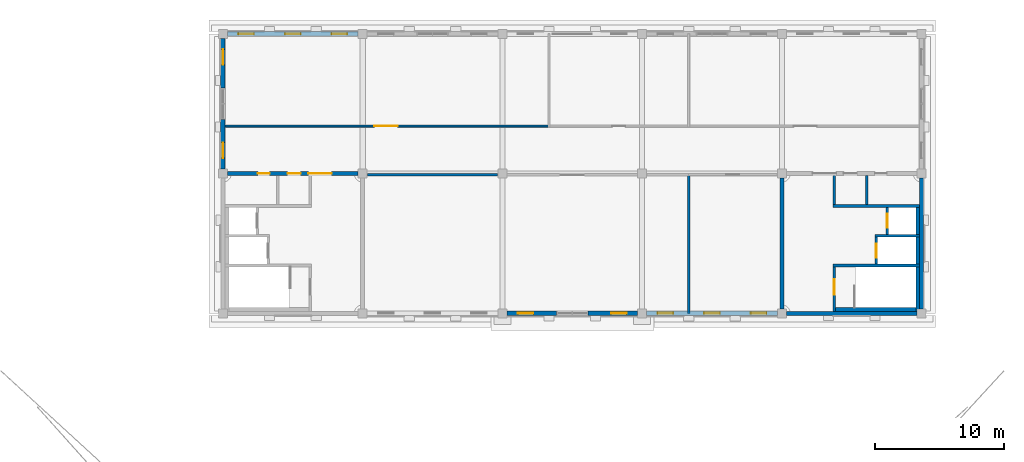
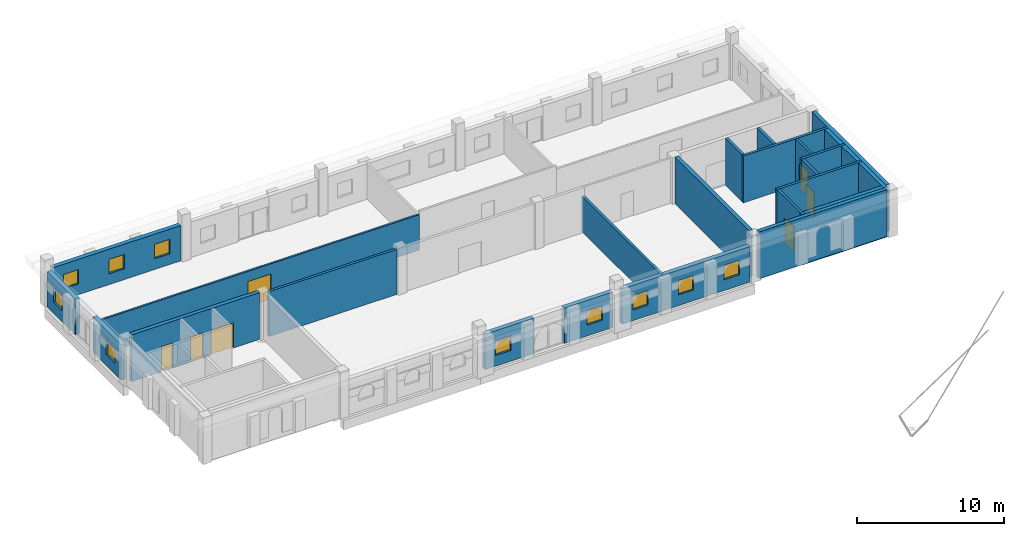
# One storey, part 7 of 10: 25 walls, 10 windows, 7 doors, 17 openings.
"""IFC4 building model written with IfcOpenShell, lengths in metres."""

import ifcopenshell
import ifcopenshell.guid

model = None  # the IFC model being written
_history = None  # IfcOwnerHistory: only IFC2X3 demands one
_inside = {}  # id of a spatial element -> (the spatial element, [elements in it])
_under = {}  # id of a project, library or spatial element -> (it, [spatial elements below it])
_declared = {}  # id of a project -> (the project, [libraries it declares])
_typed = {}  # id of a type object -> (the type object, [elements of that type])
_made_of = {}  # id of a material, layer set ... -> (it, [elements and type objects made of it])


def new_model(schema):
    """Start an empty IFC model of exactly this schema.

    Asked for "IFC4X3", IfcOpenShell would pick the latest addendum, in which some entities
    have other attributes; the version numbers below select the first issue.
    IFC2X3 requires an IfcOwnerHistory on every rooted entity: one is made here for all.
    """
    global model, _history
    if schema == "IFC4X3":
        model = ifcopenshell.file(schema_version=(4, 3, 0, 0))
    else:
        model = ifcopenshell.file(schema=schema)
    _inside.clear()
    _under.clear()
    _declared.clear()
    _typed.clear()
    _made_of.clear()
    _history = None
    if model.schema == "IFC2X3":
        org = make("IfcOrganization", Name="unknown")
        user = make(
            "IfcPersonAndOrganization",
            ThePerson=make("IfcPerson", FamilyName="unknown"),
            TheOrganization=org,
        )
        app = make(
            "IfcApplication",
            ApplicationDeveloper=org,
            Version="unknown",
            ApplicationFullName="unknown",
            ApplicationIdentifier="unknown",
        )
        _history = make(
            "IfcOwnerHistory",
            OwningUser=user,
            OwningApplication=app,
            ChangeAction="ADDED",
            CreationDate=0,
        )
    return model


def make(cls, **values):
    """One entity of the class cls with the attributes given. An attribute that is None is left unset."""
    return model.create_entity(
        cls, **{name: value for name, value in values.items() if value is not None}
    )


def rooted(cls, **values):
    """An entity with a GlobalId (a new one), such as an element, a storey or a relation."""
    return make(cls, GlobalId=ifcopenshell.guid.new(), OwnerHistory=_history, **values)


def si_unit(unit_type, name, prefix=None):
    """IfcSIUnit, for example si_unit("LENGTHUNIT", "METRE", prefix="MILLI")."""
    return make("IfcSIUnit", UnitType=unit_type, Prefix=prefix, Name=name)


def assignment(units):
    """IfcUnitAssignment: the units of a project."""
    return None if units is None else make("IfcUnitAssignment", Units=units)


def point(xyz):
    """IfcCartesianPoint."""
    return None if xyz is None else make("IfcCartesianPoint", Coordinates=xyz)


def direction(xyz):
    """IfcDirection."""
    return None if xyz is None else make("IfcDirection", DirectionRatios=xyz)


def frame(location, z_axis=None, x_axis=None):
    """IfcAxis2Placement3D, a coordinate frame: its origin and axes. An axis left out is left unset."""
    return make(
        "IfcAxis2Placement3D",
        Location=point(location),
        Axis=direction(z_axis),
        RefDirection=direction(x_axis),
    )


def frame_2d(location, x_axis=None):
    """IfcAxis2Placement2D, a coordinate frame in the plane: its origin and x axis."""
    return make(
        "IfcAxis2Placement2D", Location=point(location), RefDirection=direction(x_axis)
    )


def origin():
    """The frame at (0, 0, 0) with its axes left unset."""
    return frame((0.0, 0.0, 0.0))


def place(relative_to, where):
    """IfcLocalPlacement: puts the frame where relative to a parent placement (None: the world)."""
    return make(
        "IfcLocalPlacement", PlacementRelTo=relative_to, RelativePlacement=where
    )


def context(
    kind, dimensions, precision=None, world=None, true_north=None, identifier=None
):
    """IfcGeometricRepresentationContext, for example the 3D "Model" context."""
    return make(
        "IfcGeometricRepresentationContext",
        ContextIdentifier=identifier,
        ContextType=kind,
        CoordinateSpaceDimension=dimensions,
        Precision=precision,
        WorldCoordinateSystem=world,
        TrueNorth=true_north,
    )


def subcontext(parent, identifier, kind, view, scale=None):
    """IfcGeometricRepresentationSubContext, for example "Body" below "Model"."""
    return make(
        "IfcGeometricRepresentationSubContext",
        ContextIdentifier=identifier,
        ContextType=kind,
        ParentContext=parent,
        TargetScale=scale,
        TargetView=view,
    )


def project(units=None, contexts=None):
    """IfcProject with its units and contexts."""
    return rooted(
        "IfcProject",
        Name="project",
        RepresentationContexts=contexts,
        UnitsInContext=assignment(units),
    )


def spatial(cls, under=None, at=None, **own):
    """A site, building, storey or space (cls), placed at a placement, below another one or the project."""
    s = rooted(cls, ObjectPlacement=at, **own)
    if under is not None:
        _under.setdefault(under.id(), (under, []))[1].append(s)
    return s


def profile(cls, at=None, kind="AREA", **sizes):
    """A parametric profile (cls). Its sizes go by their IFC names, for example OverallWidth=200.0."""
    return make(cls, ProfileType=kind, Position=at, **sizes)


def rectangle(**sizes):
    """IfcRectangleProfileDef."""
    return profile("IfcRectangleProfileDef", **sizes)


def extrude(swept, where, along, depth):
    """IfcExtrudedAreaSolid: the profile swept, set in the frame where, extruded along a direction by depth."""
    return make(
        "IfcExtrudedAreaSolid",
        SweptArea=swept,
        Position=where,
        ExtrudedDirection=direction(along),
        Depth=depth,
    )


def shape(context_of_items, identifier, shape_type, items):
    """IfcShapeRepresentation: the items that make up one representation, for example the "Body"."""
    return make(
        "IfcShapeRepresentation",
        ContextOfItems=context_of_items,
        RepresentationIdentifier=identifier,
        RepresentationType=shape_type,
        Items=items,
    )


def material(Name=None, Category=None):
    """IfcMaterial."""
    return make("IfcMaterial", Name=Name, Category=Category)


def layer(
    of_material, thickness, ventilated=None, Name=None, Category=None, Priority=None
):
    """IfcMaterialLayer: one layer of a wall or slab, of a material (None: an air gap)."""
    return make(
        "IfcMaterialLayer",
        Material=of_material,
        LayerThickness=thickness,
        IsVentilated=ventilated,
        Name=Name,
        Category=Category,
        Priority=Priority,
    )


def layer_set(layers, Name=None):
    """IfcMaterialLayerSet."""
    return make("IfcMaterialLayerSet", MaterialLayers=layers, LayerSetName=Name)


def made_of(thing, what):
    """Note that an element or type object is made of a material, layer set ...; save() writes the relation."""
    if what is not None:
        _made_of.setdefault(what.id(), (what, []))[1].append(thing)
    return thing


def type_object(cls, material=None, **own):
    """A type object (cls), such as IfcWallType, which elements share."""
    return made_of(rooted(cls, **own), material)


def element(
    cls,
    number,
    at=None,
    inside=None,
    cuts=None,
    type_object=None,
    material=None,
    context=None,
    identifier="Body",
    shape_type=None,
    held_by="IfcProductDefinitionShape",
    body=None,
    shapes=None,
    **own,
):
    """One element of the class cls, such as IfcWall. Its Tag is "e" and its number.

    at: its placement. inside: the storey or other place that contains it. cuts: it is an
    opening in that element (IfcRelVoidsElement). A single representation is given by context,
    identifier, shape_type and body (its items); several are given by shapes. held_by: the class
    of the entity that holds the representations. save() writes the other relations.
    """
    e = rooted(cls, Tag="e%d" % number, ObjectPlacement=at, **own)
    if body is not None:
        shapes = [shape(context, identifier, shape_type, body)]
    if shapes is not None:
        e.Representation = make(held_by, Representations=shapes)
    if inside is not None:
        _inside.setdefault(inside.id(), (inside, []))[1].append(e)
    if cuts is not None:
        rooted(
            "IfcRelVoidsElement", RelatingBuildingElement=cuts, RelatedOpeningElement=e
        )
    if type_object is not None:
        _typed.setdefault(type_object.id(), (type_object, []))[1].append(e)
    return made_of(e, material)


def fill(opening, filler):
    """IfcRelFillsElement: the door or window that sits in an opening."""
    return rooted(
        "IfcRelFillsElement",
        RelatingOpeningElement=opening,
        RelatedBuildingElement=filler,
    )


def aggregate(whole, parts):
    """IfcRelAggregates: a whole, such as a stair, and the parts it consists of."""
    return rooted("IfcRelAggregates", RelatingObject=whole, RelatedObjects=parts)


def save(model, path):
    """Write the relations noted so far, then the file.

    IfcRelAggregates (storeys below a building ...), IfcRelContainedInSpatialStructure (elements
    in a storey), IfcRelDefinesByType, IfcRelAssociatesMaterial and IfcRelDeclares: one each for
    every whole, place, type object, material and project.
    """
    for whole, parts in _under.values():
        aggregate(whole, parts)
    for where, things in _inside.values():
        rooted(
            "IfcRelContainedInSpatialStructure",
            RelatedElements=things,
            RelatingStructure=where,
        )
    for kind, things in _typed.values():
        rooted("IfcRelDefinesByType", RelatedObjects=things, RelatingType=kind)
    for what, things in _made_of.values():
        rooted("IfcRelAssociatesMaterial", RelatedObjects=things, RelatingMaterial=what)
    for by, libraries in _declared.values():
        rooted("IfcRelDeclares", RelatingContext=by, RelatedDefinitions=libraries)
    model.write(path)


model = new_model("IFC4")

# Units and contexts
model_context = context("Model", 3, precision=1e-05, world=origin(), true_north=direction((0.0, 1.0)))
body_context = subcontext(model_context, "Body", "Model", "MODEL_VIEW")
ifc_project = project(units=[si_unit("LENGTHUNIT", "METRE"), si_unit("AREAUNIT", "SQUARE_METRE"), si_unit("VOLUMEUNIT", "CUBIC_METRE"), si_unit("PLANEANGLEUNIT", "RADIAN"), si_unit("MASSUNIT", "GRAM", prefix="KILO")], contexts=[model_context])

# Site, building, storey
site_placement = place(None, origin())
site = spatial("IfcSite", under=ifc_project, at=site_placement, CompositionType="ELEMENT")
building_placement = place(site_placement, origin())
building = spatial("IfcBuilding", under=site, at=building_placement, Name="Magnolia Steps Interchange", CompositionType="ELEMENT")
storey_placement = place(building_placement, frame((0.0, 0.0, 24.300048828125)))
storey = spatial("IfcBuildingStorey", under=building, at=storey_placement, Name="L06", CompositionType="ELEMENT", Elevation=24.300048828125)

# Walls
ifc_material_1 = material(Name="Concrete C35", Category="concrete")
ifc_layer_1 = layer(ifc_material_1, 0.199951171875)
ifc_layer_set_1 = layer_set([ifc_layer_1], Name="Core enclosure wall 200")
wall_type_1 = type_object("IfcWallType", Name="Core enclosure wall 200", PredefinedType="SOLIDWALL", material=ifc_layer_set_1)
wall_1_placement = place(storey_placement, frame((111.25, 107.050048828125, 0.0), z_axis=(0.0, 0.0, 1.0), x_axis=(0.0, -1.0, 0.0)))
element("IfcWall", 1, at=wall_1_placement, inside=storey, type_object=wall_type_1, Name="L06 OC-E enclosure wall", PredefinedType="SOLIDWALL", context=body_context, shape_type="SweptSolid", body=[
    extrude(rectangle(XDim=2.25, YDim=0.199951171875, at=frame_2d((1.125, 0.0))), origin(), (0.0, 0.0, 1.0), 3.89990234375),
])
wall_2_placement = place(storey_placement, frame((111.14990234375, 104.699951171875, 0.0), z_axis=(0.0, 0.0, 1.0), x_axis=(1.0, 0.0, 0.0)))
element("IfcWall", 2, at=wall_2_placement, inside=storey, type_object=wall_type_1, Name="L06 OC-E enclosure wall", PredefinedType="SOLIDWALL", context=body_context, shape_type="SweptSolid", body=[
    extrude(rectangle(XDim=6.7001953125, YDim=0.199951171875, at=frame_2d((3.35009765625, 0.0))), origin(), (0.0, 0.0, 1.0), 3.89990234375),
])

# Wall, opening, door
wall_3_placement = place(storey_placement, frame((115.35009765625, 104.60009765625, 0.0), z_axis=(0.0, 0.0, 1.0), x_axis=(0.0, -1.0, 0.0)))
wall_3 = element("IfcWall", 3, at=wall_3_placement, inside=storey, type_object=wall_type_1, Name="L06 OC-E enclosure wall", PredefinedType="SOLIDWALL", context=body_context, shape_type="SweptSolid", body=[
    extrude(rectangle(XDim=2.10009765625, YDim=0.199951171875, at=frame_2d((1.050048828125, 0.0))), origin(), (0.0, 0.0, 1.0), 3.89990234375),
])
opening_1_placement = place(wall_3_placement, frame((0.5, 0.0, 0.0)))
opening_1 = element("IfcOpeningElement", 4, at=opening_1_placement, cuts=wall_3, Name="Opening LD", PredefinedType="OPENING", context=body_context, shape_type="SweptSolid", body=[
    extrude(rectangle(XDim=1.10009765625, YDim=2.10009765625, at=frame_2d((0.550048828125, 1.050048828125))), frame((0.0, 0.10986328125, 0.0), z_axis=(0.0, -1.0, 0.0), x_axis=(1.0, 0.0, 0.0)), (0.0, 0.0, 1.0), 0.219970703125),
])
ifc_material_2 = material(Name="Stainless steel grade 304", Category="steel")
door_type_1 = type_object("IfcDoorType", Name="Lift landing door 1100x2100", OperationType="DOUBLE_DOOR_SLIDING", PredefinedType="DOOR", material=ifc_material_2)
door_1_placement = place(opening_1_placement, frame((1.10009765625, 0.0, 0.0), z_axis=(0.0, 0.0, 1.0), x_axis=(-1.0, 0.0, 0.0)))
door_1 = element("IfcDoor", 5, at=door_1_placement, inside=storey, type_object=door_type_1, Name="Lift landing door LF17 L06", OperationType="DOUBLE_DOOR_SLIDING", OverallHeight=2.10009765625, OverallWidth=1.10009765625, PredefinedType="DOOR", context=body_context, shape_type="SweptSolid", body=[
    extrude(rectangle(XDim=1.10009765625, YDim=2.10009765625, at=frame_2d((0.550048828125, 1.050048828125))), frame((0.0, 0.02490234375, 0.0), z_axis=(0.0, -1.0, 0.0), x_axis=(1.0, 0.0, 0.0)), (0.0, 0.0, 1.0), 0.050048828125),
])
fill(opening_1, door_1)

# Wall
wall_4_placement = place(storey_placement, frame((114.39990234375, 102.39990234375, 0.0), z_axis=(0.0, 0.0, 1.0), x_axis=(1.0, 0.0, 0.0)))
element("IfcWall", 6, at=wall_4_placement, inside=storey, type_object=wall_type_1, Name="L06 OC-E enclosure wall", PredefinedType="SOLIDWALL", context=body_context, shape_type="SweptSolid", body=[
    extrude(rectangle(XDim=3.4501953125, YDim=0.199951171875, at=frame_2d((1.72509765625, 0.0))), origin(), (0.0, 0.0, 1.0), 3.89990234375),
])

# Wall, opening, door
wall_5_placement = place(storey_placement, frame((114.5, 102.300048828125, 0.0), z_axis=(0.0, 0.0, 1.0), x_axis=(0.0, -1.0, 0.0)))
wall_5 = element("IfcWall", 7, at=wall_5_placement, inside=storey, type_object=wall_type_1, Name="L06 OC-E enclosure wall", PredefinedType="SOLIDWALL", context=body_context, shape_type="SweptSolid", body=[
    extrude(rectangle(XDim=2.10009765625, YDim=0.199951171875, at=frame_2d((1.050048828125, 0.0))), origin(), (0.0, 0.0, 1.0), 3.89990234375),
])
opening_2_placement = place(wall_5_placement, frame((0.5, 0.0, 0.0)))
opening_2 = element("IfcOpeningElement", 8, at=opening_2_placement, cuts=wall_5, Name="Opening LD", PredefinedType="OPENING", context=body_context, shape_type="SweptSolid", body=[
    extrude(rectangle(XDim=1.10009765625, YDim=2.10009765625, at=frame_2d((0.550048828125, 1.050048828125))), frame((0.0, 0.10986328125, 0.0), z_axis=(0.0, -1.0, 0.0), x_axis=(1.0, 0.0, 0.0)), (0.0, 0.0, 1.0), 0.219970703125),
])
door_2_placement = place(opening_2_placement, frame((1.10009765625, 0.0, 0.0), z_axis=(0.0, 0.0, 1.0), x_axis=(-1.0, 0.0, 0.0)))
door_2 = element("IfcDoor", 9, at=door_2_placement, inside=storey, type_object=door_type_1, Name="Lift landing door LF18 L06", OperationType="DOUBLE_DOOR_SLIDING", OverallHeight=2.10009765625, OverallWidth=1.10009765625, PredefinedType="DOOR", context=body_context, shape_type="SweptSolid", body=[
    extrude(rectangle(XDim=1.10009765625, YDim=2.10009765625, at=frame_2d((0.550048828125, 1.050048828125))), frame((0.0, 0.02490234375, 0.0), z_axis=(0.0, -1.0, 0.0), x_axis=(1.0, 0.0, 0.0)), (0.0, 0.0, 1.0), 0.050048828125),
])
fill(opening_2, door_2)

# Wall
wall_6_placement = place(storey_placement, frame((111.14990234375, 100.10009765625, 0.0), z_axis=(0.0, 0.0, 1.0), x_axis=(1.0, 0.0, 0.0)))
element("IfcWall", 10, at=wall_6_placement, inside=storey, type_object=wall_type_1, Name="L06 OC-E enclosure wall", PredefinedType="SOLIDWALL", context=body_context, shape_type="SweptSolid", body=[
    extrude(rectangle(XDim=6.7001953125, YDim=0.199951171875, at=frame_2d((3.35009765625, 0.0))), origin(), (0.0, 0.0, 1.0), 3.89990234375),
])

# Wall, opening, door
wall_7_placement = place(storey_placement, frame((111.25, 100.0, 0.0), z_axis=(0.0, 0.0, 1.0), x_axis=(0.0, -1.0, 0.0)))
wall_7 = element("IfcWall", 11, at=wall_7_placement, inside=storey, type_object=wall_type_1, Name="L06 OC-E enclosure wall", PredefinedType="SOLIDWALL", context=body_context, shape_type="SweptSolid", body=[
    extrude(rectangle(XDim=3.449951171875, YDim=0.199951171875, at=frame_2d((1.72509765625, 0.0))), origin(), (0.0, 0.0, 1.0), 3.89990234375),
])
opening_3_placement = place(wall_7_placement, frame((0.97509765625, 0.0, 0.0)))
opening_3 = element("IfcOpeningElement", 12, at=opening_3_placement, cuts=wall_7, Name="Opening D-OC-E-L06-1", PredefinedType="OPENING", context=body_context, shape_type="SweptSolid", body=[
    extrude(rectangle(XDim=1.199951171875, YDim=2.10009765625, at=frame_2d((0.60009765625, 1.050048828125))), frame((0.0, 0.10986328125, 0.0), z_axis=(0.0, -1.0, 0.0), x_axis=(1.0, 0.0, 0.0)), (0.0, 0.0, 1.0), 0.219970703125),
])
ifc_material_3 = material(Name="Painted steel", Category="steel")
door_type_2 = type_object("IfcDoorType", Name="Stair fire door 1200x2100", OperationType="NOTDEFINED", PredefinedType="DOOR", material=ifc_material_3)
door_3_placement = place(opening_3_placement, frame((1.199951171875, 0.0, 0.0), z_axis=(0.0, 0.0, 1.0), x_axis=(-1.0, 0.0, 0.0)))
door_3 = element("IfcDoor", 13, at=door_3_placement, inside=storey, type_object=door_type_2, Name="Stair door ST29 L06", OperationType="SINGLE_SWING_RIGHT", OverallHeight=2.10009765625, OverallWidth=1.199951171875, PredefinedType="DOOR", context=body_context, shape_type="SweptSolid", body=[
    extrude(rectangle(XDim=1.199951171875, YDim=2.10009765625, at=frame_2d((0.60009765625, 1.050048828125))), frame((0.0, 0.02490234375, 0.0), z_axis=(0.0, -1.0, 0.0), x_axis=(1.0, 0.0, 0.0)), (0.0, 0.0, 1.0), 0.050048828125),
])
fill(opening_3, door_3)

# Walls
ifc_material_4 = material(Name="Concrete C35", Category="concrete")
ifc_layer_2 = layer(ifc_material_4, 0.300048828125)
ifc_layer_set_2 = layer_set([ifc_layer_2], Name="Core lining wall 300")
wall_type_2 = type_object("IfcWallType", Name="Core lining wall 300", PredefinedType="SOLIDWALL", material=ifc_layer_set_2)
wall_8_placement = place(storey_placement, frame((111.14990234375, 96.699951171875, -0.300048828125), z_axis=(0.0, 0.0, 1.0), x_axis=(1.0, 0.0, 0.0)))
element("IfcWall", 14, at=wall_8_placement, inside=storey, type_object=wall_type_2, Name="L06 OC-E stair lining wall", PredefinedType="SOLIDWALL", context=body_context, shape_type="SweptSolid", body=[
    extrude(rectangle(XDim=6.7001953125, YDim=0.300048828125, at=frame_2d((3.35009765625, 0.0))), origin(), (0.0, 0.0, 1.0), 4.199951171875),
])
wall_9_placement = place(storey_placement, frame((117.699951171875, 100.0, -0.300048828125), z_axis=(0.0, 0.0, 1.0), x_axis=(0.0, -1.0, 0.0)))
element("IfcWall", 15, at=wall_9_placement, inside=storey, type_object=wall_type_2, Name="L06 OC-E stair lining wall", PredefinedType="SOLIDWALL", context=body_context, shape_type="SweptSolid", body=[
    extrude(rectangle(XDim=3.449951171875, YDim=0.300048828125, at=frame_2d((1.72509765625, 0.0))), origin(), (0.0, 0.0, 1.0), 4.199951171875),
])
for number, where, z_axis, x_axis, name in (
    (16, (117.699951171875, 104.60009765625, -0.300048828125), (0.0, 0.0, 1.0), (0.0, -1.0, 0.0), "L06 OC-E stair lining wall"),
    (17, (117.699951171875, 102.300048828125, -0.300048828125), (0.0, 0.0, 1.0), (0.0, -1.0, 0.0), "L06 OC-E stair lining wall"),
):
    element("IfcWall", number, at=place(storey_placement, frame(where, z_axis=z_axis, x_axis=x_axis)), inside=storey, type_object=wall_type_2, Name=name, PredefinedType="SOLIDWALL", context=body_context, shape_type="SweptSolid", body=[
        extrude(rectangle(XDim=2.10009765625, YDim=0.300048828125, at=frame_2d((1.050048828125, 0.0))), origin(), (0.0, 0.0, 1.0), 4.199951171875),
    ])
ifc_material_5 = material(Name="Fair-faced blockwork", Category="masonry")
ifc_layer_3 = layer(ifc_material_5, 0.199951171875)
ifc_layer_set_3 = layer_set([ifc_layer_3], Name="Core partition 200")
wall_type_3 = type_object("IfcWallType", Name="Core partition 200", PredefinedType="PARTITIONING", material=ifc_layer_set_3)
wall_10_placement = place(storey_placement, frame((113.75, 107.050048828125, 0.0), z_axis=(0.0, 0.0, 1.0), x_axis=(0.0, -1.0, 0.0)))
element("IfcWall", 18, at=wall_10_placement, inside=storey, type_object=wall_type_3, Name="L06 OC-E toilet partition", PredefinedType="PARTITIONING", context=body_context, shape_type="SweptSolid", body=[
    extrude(rectangle(XDim=2.25, YDim=0.199951171875, at=frame_2d((1.125, 0.0))), origin(), (0.0, 0.0, 1.0), 3.89990234375),
])

# Wall, openings, doors
ifc_material_6 = material(Name="Concrete C40", Category="concrete")
ifc_layer_4 = layer(ifc_material_6, 0.300048828125)
ifc_layer_set_4 = layer_set([ifc_layer_4], Name="Core wall 300")
wall_type_4 = type_object("IfcWallType", Name="Core wall 300", PredefinedType="SOLIDWALL", material=ifc_layer_set_4)
wall_11_placement = place(storey_placement, frame((74.449951171875, 107.199951171875, 0.0), z_axis=(0.0, 0.0, 1.0), x_axis=(-1.0, 0.0, 0.0)))
wall_11 = element("IfcWall", 19, at=wall_11_placement, inside=storey, type_object=wall_type_4, Name="Core wall OC-W", PredefinedType="SOLIDWALL", context=body_context, shape_type="SweptSolid", body=[
    extrude(rectangle(XDim=10.099853515625, YDim=0.300048828125, at=frame_2d((5.0498046875, 0.0))), origin(), (0.0, 0.0, 1.0), 3.89990234375),
])
opening_4_placement = place(wall_11_placement, frame((2.050048828125, 0.0, 0.0)))
opening_4 = element("IfcOpeningElement", 20, at=opening_4_placement, cuts=wall_11, Name="Opening D-OC-W-L06-2", PredefinedType="OPENING", context=body_context, shape_type="SweptSolid", body=[
    extrude(rectangle(XDim=1.800048828125, YDim=2.10009765625, at=frame_2d((0.89990234375, 1.050048828125))), frame((0.0, 0.159912109375, 0.0), z_axis=(0.0, -1.0, 0.0), x_axis=(1.0, 0.0, 0.0)), (0.0, 0.0, 1.0), 0.320068359375),
])
opening_5_placement = place(wall_11_placement, frame((4.449951171875, 0.0, 0.0)))
opening_5 = element("IfcOpeningElement", 21, at=opening_5_placement, cuts=wall_11, Name="Opening D-OC-W-L06-3", PredefinedType="OPENING", context=body_context, shape_type="SweptSolid", body=[
    extrude(rectangle(XDim=1.0, YDim=2.10009765625, at=frame_2d((0.5, 1.050048828125))), frame((0.0, 0.159912109375, 0.0), z_axis=(0.0, -1.0, 0.0), x_axis=(1.0, 0.0, 0.0)), (0.0, 0.0, 1.0), 0.320068359375),
])
opening_6_placement = place(wall_11_placement, frame((6.85009765625, 0.0, 0.0)))
opening_6 = element("IfcOpeningElement", 22, at=opening_6_placement, cuts=wall_11, Name="Opening D-OC-W-L06-4", PredefinedType="OPENING", context=body_context, shape_type="SweptSolid", body=[
    extrude(rectangle(XDim=0.89990234375, YDim=2.10009765625, at=frame_2d((0.449951171875, 1.050048828125))), frame((0.0, 0.159912109375, 0.0), z_axis=(0.0, -1.0, 0.0), x_axis=(1.0, 0.0, 0.0)), (0.0, 0.0, 1.0), 0.320068359375),
])
ifc_material_7 = material(Name="Timber", Category="wood")
door_type_3 = type_object("IfcDoorType", Name="Accessible toilet door 1000x2100", OperationType="NOTDEFINED", PredefinedType="DOOR", material=ifc_material_7)
door_4_placement = place(opening_5_placement, origin())
door_4 = element("IfcDoor", 23, at=door_4_placement, inside=storey, type_object=door_type_3, Name="Accessible Toilet door OC-W L06", OperationType="SINGLE_SWING_LEFT", OverallHeight=2.10009765625, OverallWidth=1.0, PredefinedType="DOOR", context=body_context, shape_type="SweptSolid", body=[
    extrude(rectangle(XDim=1.0, YDim=2.10009765625, at=frame_2d((0.5, 1.050048828125))), frame((0.0, 0.02490234375, 0.0), z_axis=(0.0, -1.0, 0.0), x_axis=(1.0, 0.0, 0.0)), (0.0, 0.0, 1.0), 0.050048828125),
])
fill(opening_5, door_4)
ifc_material_8 = material(Name="Timber and glass", Category="wood")
door_type_4 = type_object("IfcDoorType", Name="Core entrance door pair 1800x2100", OperationType="DOUBLE_DOOR_DOUBLE_SWING", PredefinedType="DOOR", material=ifc_material_8)
door_5_placement = place(opening_4_placement, frame((1.800048828125, 0.0, 0.0), z_axis=(0.0, 0.0, 1.0), x_axis=(-1.0, 0.0, 0.0)))
door_5 = element("IfcDoor", 24, at=door_5_placement, inside=storey, type_object=door_type_4, Name="Core entrance door OC-W L06", OperationType="DOUBLE_DOOR_DOUBLE_SWING", OverallHeight=2.10009765625, OverallWidth=1.800048828125, PredefinedType="DOOR", context=body_context, shape_type="SweptSolid", body=[
    extrude(rectangle(XDim=1.800048828125, YDim=2.10009765625, at=frame_2d((0.89990234375, 1.050048828125))), frame((0.0, 0.02490234375, 0.0), z_axis=(0.0, -1.0, 0.0), x_axis=(1.0, 0.0, 0.0)), (0.0, 0.0, 1.0), 0.050048828125),
])
fill(opening_4, door_5)
ifc_material_9 = material(Name="Timber", Category="wood")
door_type_5 = type_object("IfcDoorType", Name="Toilet door 900x2100", OperationType="NOTDEFINED", PredefinedType="DOOR", material=ifc_material_9)
door_6_placement = place(opening_6_placement, origin())
door_6 = element("IfcDoor", 25, at=door_6_placement, inside=storey, type_object=door_type_5, Name="Public Toilets door OC-W L06", OperationType="SINGLE_SWING_RIGHT", OverallHeight=2.10009765625, OverallWidth=0.89990234375, PredefinedType="DOOR", context=body_context, shape_type="SweptSolid", body=[
    extrude(rectangle(XDim=0.89990234375, YDim=2.10009765625, at=frame_2d((0.449951171875, 1.050048828125))), frame((0.0, 0.02490234375, 0.0), z_axis=(0.0, -1.0, 0.0), x_axis=(1.0, 0.0, 0.0)), (0.0, 0.0, 1.0), 0.050048828125),
])
fill(opening_6, door_6)

# Walls
wall_12_placement = place(storey_placement, frame((107.550048828125, 96.39990234375, 0.0), z_axis=(0.0, 0.0, 1.0), x_axis=(1.0, 0.0, 0.0)))
element("IfcWall", 26, at=wall_12_placement, inside=storey, type_object=wall_type_4, Name="Core wall OC-E", PredefinedType="SOLIDWALL", context=body_context, shape_type="SweptSolid", body=[
    extrude(rectangle(XDim=10.099853515625, YDim=0.300048828125, at=frame_2d((5.0498046875, 0.0))), origin(), (0.0, 0.0, 1.0), 3.89990234375),
])
for number, where, z_axis, x_axis, name in (
    (27, (118.0, 96.75, 0.0), (0.0, 0.0, 1.0), (0.0, 1.0, 0.0), "Core wall OC-E"),
    (28, (107.199951171875, 106.85009765625, 0.0), (0.0, 0.0, 1.0), (0.0, -1.0, 0.0), "Core wall OC-E"),
):
    element("IfcWall", number, at=place(storey_placement, frame(where, z_axis=z_axis, x_axis=x_axis)), inside=storey, type_object=wall_type_4, Name=name, PredefinedType="SOLIDWALL", context=body_context, shape_type="SweptSolid", body=[
        extrude(rectangle(XDim=10.10009765625, YDim=0.300048828125, at=frame_2d((5.050048828125, 0.0))), origin(), (0.0, 0.0, 1.0), 3.89990234375),
    ])
ifc_material_10 = material(Name="Fair-faced blockwork", Category="masonry")
ifc_layer_5 = layer(ifc_material_10, 0.199951171875)
ifc_layer_set_5 = layer_set([ifc_layer_5], Name="Fire partition wall 200")
wall_type_5 = type_object("IfcWallType", Name="Fire partition wall 200", PredefinedType="PARTITIONING", material=ifc_layer_set_5)
wall_13_placement = place(storey_placement, frame((75.169921875, 107.10009765625, 0.0), z_axis=(0.0, 0.0, 1.0), x_axis=(1.0, 0.0, 0.0)))
element("IfcWall", 29, at=wall_13_placement, inside=storey, type_object=wall_type_5, Name="L06 partition 3", PredefinedType="PARTITIONING", context=body_context, shape_type="SweptSolid", body=[
    extrude(rectangle(XDim=10.06005859375, YDim=0.199951171875, at=frame_2d((5.030029296875, 0.0))), origin(), (0.0, 0.0, 1.0), 3.75),
])
wall_14_placement = place(storey_placement, frame((100.0, 96.39990234375, 0.0), z_axis=(0.0, 0.0, 1.0), x_axis=(0.0, 1.0, 0.0)))
element("IfcWall", 30, at=wall_14_placement, inside=storey, type_object=wall_type_5, Name="L06 partition 8", PredefinedType="PARTITIONING", context=body_context, shape_type="SweptSolid", body=[
    extrude(rectangle(XDim=10.800048828125, YDim=0.199951171875, at=frame_2d((5.39990234375, 0.0))), origin(), (0.0, 0.0, 1.0), 2.949951171875),
])

# Wall, opening, window
ifc_material_11 = material(Name="Lime render on masonry", Category="masonry")
ifc_layer_6 = layer(ifc_material_11, 0.35009765625)
ifc_layer_set_6 = layer_set([ifc_layer_6], Name="Lime render wall 350")
wall_type_6 = type_object("IfcWallType", Name="Lime render wall 350", PredefinedType="SOLIDWALL", material=ifc_layer_set_6)
wall_15_placement = place(storey_placement, frame((85.949951171875, 96.39990234375, 0.0), z_axis=(0.0, 0.0, 1.0), x_axis=(1.0, 0.0, 0.0)))
wall_15 = element("IfcWall", 31, at=wall_15_placement, inside=storey, type_object=wall_type_6, Name="Operations building south wall L06 pier 1", PredefinedType="SOLIDWALL", context=body_context, shape_type="SweptSolid", body=[
    extrude(rectangle(XDim=3.85009765625, YDim=0.35009765625, at=frame_2d((1.925048828125, 0.0))), origin(), (0.0, 0.0, 1.0), 2.949951171875),
])
opening_7_placement = place(wall_15_placement, frame((0.85009765625, 0.0, 0.89990234375)))
opening_7 = element("IfcOpeningElement", 32, at=opening_7_placement, cuts=wall_15, Name="Opening WN2", PredefinedType="OPENING", context=body_context, shape_type="SweptSolid", body=[
    extrude(rectangle(XDim=1.199951171875, YDim=1.199951171875, at=frame_2d((0.60009765625, 0.60009765625))), frame((0.0, 0.18505859375, 0.0), z_axis=(0.0, -1.0, 0.0), x_axis=(1.0, 0.0, 0.0)), (0.0, 0.0, 1.0), 0.3701171875),
])
ifc_material_12 = material(Name="Timber frame with double glazing", Category="wood")
window_type = type_object("IfcWindowType", Name="Attic window 1200 x 1200", PartitioningType="SINGLE_PANEL", PredefinedType="WINDOW", material=ifc_material_12)
window_1_placement = place(opening_7_placement, origin())
window_1 = element("IfcWindow", 33, at=window_1_placement, inside=storey, type_object=window_type, Name="Window L06 south 4", OverallHeight=1.199951171875, OverallWidth=1.199951171875, PartitioningType="SINGLE_PANEL", PredefinedType="WINDOW", context=body_context, shape_type="SweptSolid", body=[
    extrude(rectangle(XDim=1.199951171875, YDim=1.199951171875, at=frame_2d((0.60009765625, 0.60009765625))), frame((0.0, 0.030029296875, 0.0), z_axis=(0.0, -1.0, 0.0), x_axis=(1.0, 0.0, 0.0)), (0.0, 0.0, 1.0), 0.06005859375),
])
fill(opening_7, window_1)

wall_16_placement = place(storey_placement, frame((92.199951171875, 96.39990234375, 0.0), z_axis=(0.0, 0.0, 1.0), x_axis=(1.0, 0.0, 0.0)))
wall_16 = element("IfcWall", 34, at=wall_16_placement, inside=storey, type_object=wall_type_6, Name="Operations building south wall L06 pier 3", PredefinedType="SOLIDWALL", context=body_context, shape_type="SweptSolid", body=[
    extrude(rectangle(XDim=3.85009765625, YDim=0.35009765625, at=frame_2d((1.925048828125, 0.0))), origin(), (0.0, 0.0, 1.0), 2.949951171875),
])
opening_8_placement = place(wall_16_placement, frame((1.800048828125, 0.0, 0.89990234375)))
opening_8 = element("IfcOpeningElement", 35, at=opening_8_placement, cuts=wall_16, Name="Opening WN2", PredefinedType="OPENING", context=body_context, shape_type="SweptSolid", body=[
    extrude(rectangle(XDim=1.199951171875, YDim=1.199951171875, at=frame_2d((0.60009765625, 0.60009765625))), frame((0.0, 0.18505859375, 0.0), z_axis=(0.0, -1.0, 0.0), x_axis=(1.0, 0.0, 0.0)), (0.0, 0.0, 1.0), 0.3701171875),
])
window_2_placement = place(opening_8_placement, origin())
window_2 = element("IfcWindow", 36, at=window_2_placement, inside=storey, type_object=window_type, Name="Window L06 south 6", OverallHeight=1.199951171875, OverallWidth=1.199951171875, PartitioningType="SINGLE_PANEL", PredefinedType="WINDOW", context=body_context, shape_type="SweptSolid", body=[
    extrude(rectangle(XDim=1.199951171875, YDim=1.199951171875, at=frame_2d((0.60009765625, 0.60009765625))), frame((0.0, 0.030029296875, 0.0), z_axis=(0.0, -1.0, 0.0), x_axis=(1.0, 0.0, 0.0)), (0.0, 0.0, 1.0), 0.06005859375),
])
fill(opening_8, window_2)

# Wall, openings, windows
wall_17_placement = place(storey_placement, frame((96.75, 96.39990234375, 0.0), z_axis=(0.0, 0.0, 1.0), x_axis=(1.0, 0.0, 0.0)))
wall_17 = element("IfcWall", 37, at=wall_17_placement, inside=storey, type_object=wall_type_6, Name="Operations building south wall L06 pier 3", PredefinedType="SOLIDWALL", context=body_context, shape_type="SweptSolid", body=[
    extrude(rectangle(XDim=10.10009765625, YDim=0.35009765625, at=frame_2d((5.050048828125, 0.0))), origin(), (0.0, 0.0, 1.0), 2.949951171875),
])
opening_9_placement = place(wall_17_placement, frame((0.85009765625, 0.0, 0.89990234375)))
opening_9 = element("IfcOpeningElement", 38, at=opening_9_placement, cuts=wall_17, Name="Opening WN2", PredefinedType="OPENING", context=body_context, shape_type="SweptSolid", body=[
    extrude(rectangle(XDim=1.199951171875, YDim=1.199951171875, at=frame_2d((0.60009765625, 0.60009765625))), frame((0.0, 0.18505859375, 0.0), z_axis=(0.0, -1.0, 0.0), x_axis=(1.0, 0.0, 0.0)), (0.0, 0.0, 1.0), 0.3701171875),
])
opening_10_placement = place(wall_17_placement, frame((4.449951171875, 0.0, 0.89990234375)))
opening_10 = element("IfcOpeningElement", 39, at=opening_10_placement, cuts=wall_17, Name="Opening WN2", PredefinedType="OPENING", context=body_context, shape_type="SweptSolid", body=[
    extrude(rectangle(XDim=1.199951171875, YDim=1.199951171875, at=frame_2d((0.60009765625, 0.60009765625))), frame((0.0, 0.18505859375, 0.0), z_axis=(0.0, -1.0, 0.0), x_axis=(1.0, 0.0, 0.0)), (0.0, 0.0, 1.0), 0.3701171875),
])
opening_11_placement = place(wall_17_placement, frame((8.050048828125, 0.0, 0.89990234375)))
opening_11 = element("IfcOpeningElement", 40, at=opening_11_placement, cuts=wall_17, Name="Opening WN2", PredefinedType="OPENING", context=body_context, shape_type="SweptSolid", body=[
    extrude(rectangle(XDim=1.199951171875, YDim=1.199951171875, at=frame_2d((0.60009765625, 0.60009765625))), frame((0.0, 0.18505859375, 0.0), z_axis=(0.0, -1.0, 0.0), x_axis=(1.0, 0.0, 0.0)), (0.0, 0.0, 1.0), 0.3701171875),
])
window_3_placement = place(opening_9_placement, origin())
window_3 = element("IfcWindow", 41, at=window_3_placement, inside=storey, type_object=window_type, Name="Window L06 south 7", OverallHeight=1.199951171875, OverallWidth=1.199951171875, PartitioningType="SINGLE_PANEL", PredefinedType="WINDOW", context=body_context, shape_type="SweptSolid", body=[
    extrude(rectangle(XDim=1.199951171875, YDim=1.199951171875, at=frame_2d((0.60009765625, 0.60009765625))), frame((0.0, 0.030029296875, 0.0), z_axis=(0.0, -1.0, 0.0), x_axis=(1.0, 0.0, 0.0)), (0.0, 0.0, 1.0), 0.06005859375),
])
fill(opening_9, window_3)
window_4_placement = place(opening_10_placement, origin())
window_4 = element("IfcWindow", 42, at=window_4_placement, inside=storey, type_object=window_type, Name="Window L06 south 8", OverallHeight=1.199951171875, OverallWidth=1.199951171875, PartitioningType="SINGLE_PANEL", PredefinedType="WINDOW", context=body_context, shape_type="SweptSolid", body=[
    extrude(rectangle(XDim=1.199951171875, YDim=1.199951171875, at=frame_2d((0.60009765625, 0.60009765625))), frame((0.0, 0.030029296875, 0.0), z_axis=(0.0, -1.0, 0.0), x_axis=(1.0, 0.0, 0.0)), (0.0, 0.0, 1.0), 0.06005859375),
])
fill(opening_10, window_4)
window_5_placement = place(opening_11_placement, origin())
window_5 = element("IfcWindow", 43, at=window_5_placement, inside=storey, type_object=window_type, Name="Window L06 south 9", OverallHeight=1.199951171875, OverallWidth=1.199951171875, PartitioningType="SINGLE_PANEL", PredefinedType="WINDOW", context=body_context, shape_type="SweptSolid", body=[
    extrude(rectangle(XDim=1.199951171875, YDim=1.199951171875, at=frame_2d((0.60009765625, 0.60009765625))), frame((0.0, 0.030029296875, 0.0), z_axis=(0.0, -1.0, 0.0), x_axis=(1.0, 0.0, 0.0)), (0.0, 0.0, 1.0), 0.06005859375),
])
fill(opening_11, window_5)

wall_18_placement = place(storey_placement, frame((64.35009765625, 118.0, 0.0), z_axis=(0.0, 0.0, 1.0), x_axis=(1.0, 0.0, 0.0)))
wall_18 = element("IfcWall", 44, at=wall_18_placement, inside=storey, type_object=wall_type_6, Name="Operations building north wall L06 pier 1", PredefinedType="SOLIDWALL", context=body_context, shape_type="SweptSolid", body=[
    extrude(rectangle(XDim=10.099853515625, YDim=0.35009765625, at=frame_2d((5.0498046875, 0.0))), origin(), (0.0, 0.0, 1.0), 2.949951171875),
])
opening_12_placement = place(wall_18_placement, frame((0.85009765625, 0.0, 0.89990234375)))
opening_12 = element("IfcOpeningElement", 45, at=opening_12_placement, cuts=wall_18, Name="Opening WN2", PredefinedType="OPENING", context=body_context, shape_type="SweptSolid", body=[
    extrude(rectangle(XDim=1.199951171875, YDim=1.199951171875, at=frame_2d((0.60009765625, 0.60009765625))), frame((0.0, 0.18505859375, 0.0), z_axis=(0.0, -1.0, 0.0), x_axis=(1.0, 0.0, 0.0)), (0.0, 0.0, 1.0), 0.3701171875),
])
opening_13_placement = place(wall_18_placement, frame((4.449951171875, 0.0, 0.89990234375)))
opening_13 = element("IfcOpeningElement", 46, at=opening_13_placement, cuts=wall_18, Name="Opening WN2", PredefinedType="OPENING", context=body_context, shape_type="SweptSolid", body=[
    extrude(rectangle(XDim=1.199951171875, YDim=1.199951171875, at=frame_2d((0.60009765625, 0.60009765625))), frame((0.0, 0.18505859375, 0.0), z_axis=(0.0, -1.0, 0.0), x_axis=(1.0, 0.0, 0.0)), (0.0, 0.0, 1.0), 0.3701171875),
])
opening_14_placement = place(wall_18_placement, frame((8.050048828125, 0.0, 0.89990234375)))
opening_14 = element("IfcOpeningElement", 47, at=opening_14_placement, cuts=wall_18, Name="Opening WN2", PredefinedType="OPENING", context=body_context, shape_type="SweptSolid", body=[
    extrude(rectangle(XDim=1.199951171875, YDim=1.199951171875, at=frame_2d((0.60009765625, 0.60009765625))), frame((0.0, 0.18505859375, 0.0), z_axis=(0.0, -1.0, 0.0), x_axis=(1.0, 0.0, 0.0)), (0.0, 0.0, 1.0), 0.3701171875),
])
window_6_placement = place(opening_12_placement, origin())
window_6 = element("IfcWindow", 48, at=window_6_placement, inside=storey, type_object=window_type, Name="Window L06 north 1", OverallHeight=1.199951171875, OverallWidth=1.199951171875, PartitioningType="SINGLE_PANEL", PredefinedType="WINDOW", context=body_context, shape_type="SweptSolid", body=[
    extrude(rectangle(XDim=1.199951171875, YDim=1.199951171875, at=frame_2d((0.60009765625, 0.60009765625))), frame((0.0, 0.030029296875, 0.0), z_axis=(0.0, -1.0, 0.0), x_axis=(1.0, 0.0, 0.0)), (0.0, 0.0, 1.0), 0.06005859375),
])
fill(opening_12, window_6)
window_7_placement = place(opening_13_placement, origin())
window_7 = element("IfcWindow", 49, at=window_7_placement, inside=storey, type_object=window_type, Name="Window L06 north 2", OverallHeight=1.199951171875, OverallWidth=1.199951171875, PartitioningType="SINGLE_PANEL", PredefinedType="WINDOW", context=body_context, shape_type="SweptSolid", body=[
    extrude(rectangle(XDim=1.199951171875, YDim=1.199951171875, at=frame_2d((0.60009765625, 0.60009765625))), frame((0.0, 0.030029296875, 0.0), z_axis=(0.0, -1.0, 0.0), x_axis=(1.0, 0.0, 0.0)), (0.0, 0.0, 1.0), 0.06005859375),
])
fill(opening_13, window_7)
window_8_placement = place(opening_14_placement, origin())
window_8 = element("IfcWindow", 50, at=window_8_placement, inside=storey, type_object=window_type, Name="Window L06 north 3", OverallHeight=1.199951171875, OverallWidth=1.199951171875, PartitioningType="SINGLE_PANEL", PredefinedType="WINDOW", context=body_context, shape_type="SweptSolid", body=[
    extrude(rectangle(XDim=1.199951171875, YDim=1.199951171875, at=frame_2d((0.60009765625, 0.60009765625))), frame((0.0, 0.030029296875, 0.0), z_axis=(0.0, -1.0, 0.0), x_axis=(1.0, 0.0, 0.0)), (0.0, 0.0, 1.0), 0.06005859375),
])
fill(opening_14, window_8)

# Wall, opening, window
wall_19_placement = place(storey_placement, frame((64.0, 107.550048828125, 0.0), z_axis=(0.0, 0.0, 1.0), x_axis=(0.0, 1.0, 0.0)))
wall_19 = element("IfcWall", 51, at=wall_19_placement, inside=storey, type_object=wall_type_6, Name="Operations building west wall L06 pier 1", PredefinedType="SOLIDWALL", context=body_context, shape_type="SweptSolid", body=[
    extrude(rectangle(XDim=3.849853515625, YDim=0.35009765625, at=frame_2d((1.9248046875, 0.0))), origin(), (0.0, 0.0, 1.0), 2.949951171875),
])
opening_15_placement = place(wall_19_placement, frame((0.85009765625, 0.0, 0.89990234375)))
opening_15 = element("IfcOpeningElement", 52, at=opening_15_placement, cuts=wall_19, Name="Opening WN2", PredefinedType="OPENING", context=body_context, shape_type="SweptSolid", body=[
    extrude(rectangle(XDim=1.199951171875, YDim=1.199951171875, at=frame_2d((0.60009765625, 0.60009765625))), frame((0.0, 0.18505859375, 0.0), z_axis=(0.0, -1.0, 0.0), x_axis=(1.0, 0.0, 0.0)), (0.0, 0.0, 1.0), 0.3701171875),
])
window_9_placement = place(opening_15_placement, origin())
window_9 = element("IfcWindow", 53, at=window_9_placement, inside=storey, type_object=window_type, Name="Window L06 west 1", OverallHeight=1.199951171875, OverallWidth=1.199951171875, PartitioningType="SINGLE_PANEL", PredefinedType="WINDOW", context=body_context, shape_type="SweptSolid", body=[
    extrude(rectangle(XDim=1.199951171875, YDim=1.199951171875, at=frame_2d((0.60009765625, 0.60009765625))), frame((0.0, 0.030029296875, 0.0), z_axis=(0.0, -1.0, 0.0), x_axis=(1.0, 0.0, 0.0)), (0.0, 0.0, 1.0), 0.06005859375),
])
fill(opening_15, window_9)

wall_20_placement = place(storey_placement, frame((64.0, 113.800048828125, 0.0), z_axis=(0.0, 0.0, 1.0), x_axis=(0.0, 1.0, 0.0)))
wall_20 = element("IfcWall", 54, at=wall_20_placement, inside=storey, type_object=wall_type_6, Name="Operations building west wall L06 pier 3", PredefinedType="SOLIDWALL", context=body_context, shape_type="SweptSolid", body=[
    extrude(rectangle(XDim=3.849853515625, YDim=0.35009765625, at=frame_2d((1.9248046875, 0.0))), origin(), (0.0, 0.0, 1.0), 2.949951171875),
])
opening_16_placement = place(wall_20_placement, frame((1.800048828125, 0.0, 0.89990234375)))
opening_16 = element("IfcOpeningElement", 55, at=opening_16_placement, cuts=wall_20, Name="Opening WN2", PredefinedType="OPENING", context=body_context, shape_type="SweptSolid", body=[
    extrude(rectangle(XDim=1.199951171875, YDim=1.199951171875, at=frame_2d((0.60009765625, 0.60009765625))), frame((0.0, 0.18505859375, 0.0), z_axis=(0.0, -1.0, 0.0), x_axis=(1.0, 0.0, 0.0)), (0.0, 0.0, 1.0), 0.3701171875),
])
window_10_placement = place(opening_16_placement, origin())
window_10 = element("IfcWindow", 56, at=window_10_placement, inside=storey, type_object=window_type, Name="Window L06 west 3", OverallHeight=1.199951171875, OverallWidth=1.199951171875, PartitioningType="SINGLE_PANEL", PredefinedType="WINDOW", context=body_context, shape_type="SweptSolid", body=[
    extrude(rectangle(XDim=1.199951171875, YDim=1.199951171875, at=frame_2d((0.60009765625, 0.60009765625))), frame((0.0, 0.030029296875, 0.0), z_axis=(0.0, -1.0, 0.0), x_axis=(1.0, 0.0, 0.0)), (0.0, 0.0, 1.0), 0.06005859375),
])
fill(opening_16, window_10)

# Wall, opening, door
ifc_material_13 = material(Name="Fair-faced blockwork", Category="masonry")
ifc_layer_7 = layer(ifc_material_13, 0.14990234375)
ifc_layer_set_7 = layer_set([ifc_layer_7], Name="Partition wall 150")
wall_type_7 = type_object("IfcWallType", Name="Partition wall 150", PredefinedType="PARTITIONING", material=ifc_layer_set_7)
wall_21_placement = place(storey_placement, frame((64.0, 110.875, 0.0), z_axis=(0.0, 0.0, 1.0), x_axis=(1.0, 0.0, 0.0)))
wall_21 = element("IfcWall", 57, at=wall_21_placement, inside=storey, type_object=wall_type_7, Name="L06 partition 5", PredefinedType="PARTITIONING", context=body_context, shape_type="SweptSolid", body=[
    extrude(rectangle(XDim=25.199951171875, YDim=0.14990234375, at=frame_2d((12.60009765625, 0.0))), origin(), (0.0, 0.0, 1.0), 2.949951171875),
])
opening_17_placement = place(wall_21_placement, frame((11.699951171875, 0.0, 0.0)))
opening_17 = element("IfcOpeningElement", 58, at=opening_17_placement, cuts=wall_21, Name="Opening D-L06-3", PredefinedType="OPENING", context=body_context, shape_type="SweptSolid", body=[
    extrude(rectangle(XDim=1.800048828125, YDim=2.10009765625, at=frame_2d((0.89990234375, 1.050048828125))), frame((0.0, 0.0849609375, 0.0), z_axis=(0.0, -1.0, 0.0), x_axis=(1.0, 0.0, 0.0)), (0.0, 0.0, 1.0), 0.169921875),
])
ifc_material_14 = material(Name="Timber", Category="wood")
door_type_6 = type_object("IfcDoorType", Name="Room door pair 1800x2100", OperationType="DOUBLE_DOOR_DOUBLE_SWING", PredefinedType="DOOR", material=ifc_material_14)
door_7_placement = place(opening_17_placement, origin())
door_7 = element("IfcDoor", 59, at=door_7_placement, inside=storey, type_object=door_type_6, Name="Staff Lounge door", OperationType="DOUBLE_DOOR_DOUBLE_SWING", OverallHeight=2.10009765625, OverallWidth=1.800048828125, PredefinedType="DOOR", context=body_context, shape_type="SweptSolid", body=[
    extrude(rectangle(XDim=1.800048828125, YDim=2.10009765625, at=frame_2d((0.89990234375, 1.050048828125))), frame((0.0, 0.02490234375, 0.0), z_axis=(0.0, -1.0, 0.0), x_axis=(1.0, 0.0, 0.0)), (0.0, 0.0, 1.0), 0.050048828125),
])
fill(opening_17, door_7)

save(model, "model.ifc")
